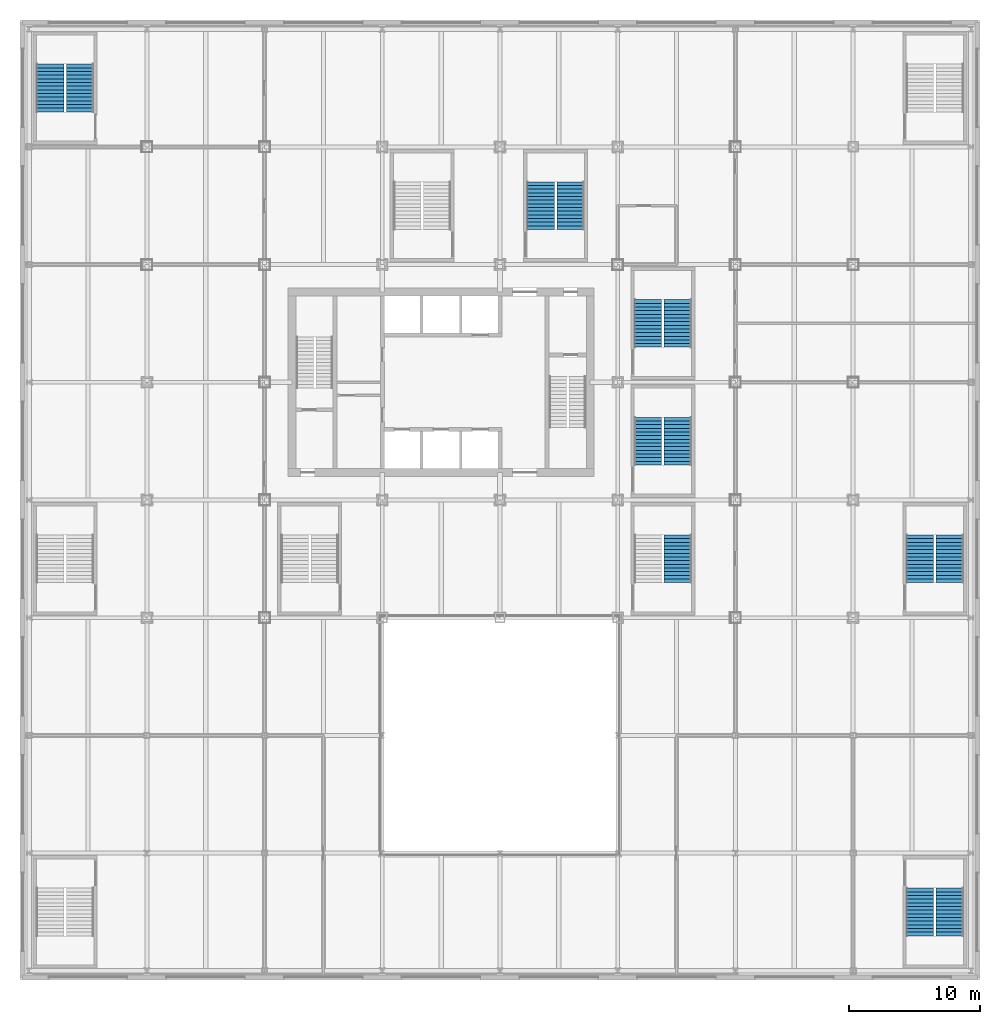
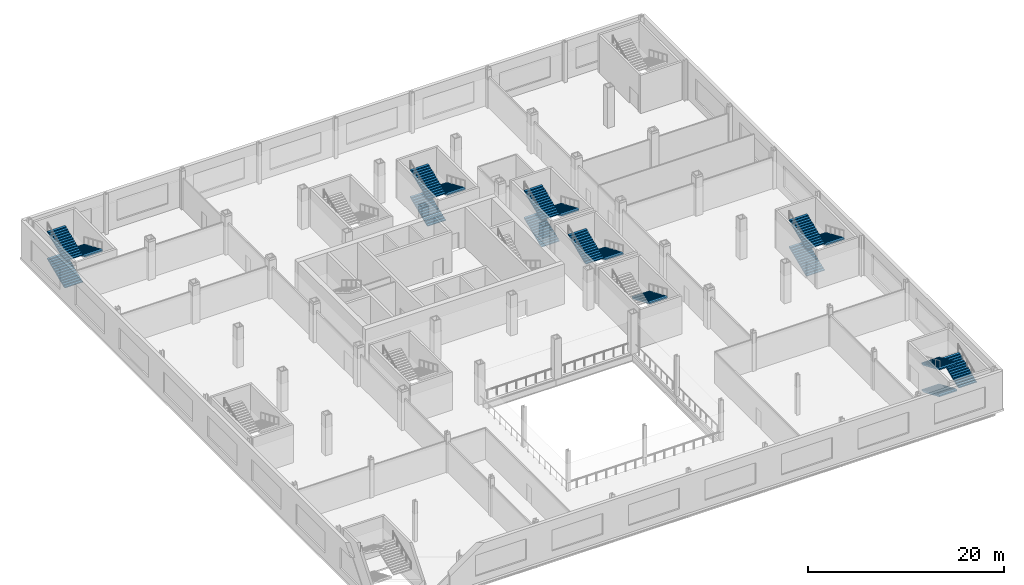
# One storey, part 17 of 31: 18 stair flights, 7 elements without a shape of their own.
"""IFC4 building model written with IfcOpenShell, lengths in metres."""

from ifc_helpers import new_model, si_unit, direction, frame, origin, place, context, subcontext, project, spatial, polyline, outline, extrude, material, type_object, element, aggregate, save


model = new_model("IFC4")

# Units and contexts
model_context = context("Model", 3, precision=1e-05, world=origin(), true_north=direction((0.0, 1.0)))
body_context = subcontext(model_context, "Body", "Model", "MODEL_VIEW")
ifc_project = project(units=[si_unit("LENGTHUNIT", "METRE"), si_unit("AREAUNIT", "SQUARE_METRE"), si_unit("VOLUMEUNIT", "CUBIC_METRE"), si_unit("PLANEANGLEUNIT", "RADIAN"), si_unit("MASSUNIT", "GRAM", prefix="KILO")], contexts=[model_context])

# Site, building, storey
site_placement = place(None, origin())
site = spatial("IfcSite", under=ifc_project, at=site_placement, CompositionType="ELEMENT")
building_placement = place(site_placement, origin())
building = spatial("IfcBuilding", under=site, at=building_placement, Name="Loomwork Tower", CompositionType="ELEMENT")
storey_placement = place(building_placement, frame((0.0, 0.0, 11.0)))
storey = spatial("IfcBuildingStorey", under=building, at=storey_placement, Name="L02", CompositionType="ELEMENT", Elevation=11.0)

# Stair, stair flights
ifc_material_1 = material(Name="Concrete 5000 psi (34 MPa) precast stair", Category="concrete")
stair_type_1 = type_object("IfcStairType", Name="Stair ST-S11P 42 risers of 119 4400 wide", PredefinedType="HALF_TURN_STAIR", material=ifc_material_1)
stair_1_placement = place(storey_placement, origin())
stair_1 = element("IfcStair", 1, at=stair_1_placement, inside=storey, type_object=stair_type_1, Name="Podium stair PS11 L02", PredefinedType="HALF_TURN_STAIR")
ifc_material_2 = material(Name="Concrete 5000 psi (34 MPa) precast stair", Category="concrete")
stair_flight_type_1 = type_object("IfcStairFlightType", Name="Stair flight ST-S11P 14 risers of 119 2100 wide", PredefinedType="STRAIGHT", material=ifc_material_2)
stair_flight_1_placement = place(storey_placement, frame((30.10009765625, 29.679931640625, 0.0), z_axis=(0.0, 0.0, 1.0), x_axis=(0.0, 1.0, 0.0)))
stair_flight_1 = element("IfcStairFlight", 2, at=stair_flight_1_placement, type_object=stair_flight_type_1, Name="ST-S11P flight 1", NumberOfRisers=14, NumberOfTreads=13, PredefinedType="STRAIGHT", RiserHeight=0.119047619, TreadLength=0.28, context=body_context, shape_type="SweptSolid", body=[
    extrude(outline(polyline([(0.0, 0.0), (0.0, 0.119140625), (0.280029296875, 0.119140625), (0.280029296875, 0.238037109375), (0.56005859375, 0.238037109375), (0.56005859375, 0.357177734375), (0.840087890625, 0.357177734375), (0.840087890625, 0.47607421875), (1.1201171875, 0.47607421875), (1.1201171875, 0.59521484375), (1.39990234375, 0.59521484375), (1.39990234375, 0.71435546875), (1.679931640625, 0.71435546875), (1.679931640625, 0.833251953125), (1.9599609375, 0.833251953125), (1.9599609375, 0.952392578125), (2.239990234375, 0.952392578125), (2.239990234375, 1.071533203125), (2.52001953125, 1.071533203125), (2.52001953125, 1.1904296875), (2.800048828125, 1.1904296875), (2.800048828125, 1.3095703125), (3.080078125, 1.3095703125), (3.080078125, 1.428466796875), (3.360107421875, 1.428466796875), (3.360107421875, 1.547607421875), (3.639892578125, 1.547607421875), (3.639892578125, 1.666748046875), (3.639892578125, 1.384765625), (0.383056640625, 0.0), (0.0, 0.0)])), frame((0.0, 1.050048828125, 0.0), z_axis=(0.0, -1.0, 0.0), x_axis=(1.0, 0.0, 0.0)), (0.0, 0.0, 1.0), 2.10009765625),
])
stair_flight_2_placement = place(storey_placement, frame((32.39990234375, 33.320068359375, 1.666748046875), z_axis=(0.0, 0.0, 1.0), x_axis=(0.0, -1.0, 0.0)))
stair_flight_2 = element("IfcStairFlight", 3, at=stair_flight_2_placement, type_object=stair_flight_type_1, Name="ST-S11P flight 2", NumberOfRisers=14, NumberOfTreads=13, PredefinedType="STRAIGHT", RiserHeight=0.119047619, TreadLength=0.28, context=body_context, shape_type="SweptSolid", body=[
    extrude(outline(polyline([(0.0, 0.0), (0.0, 0.119140625), (0.280029296875, 0.119140625), (0.280029296875, 0.238037109375), (0.56005859375, 0.238037109375), (0.56005859375, 0.357177734375), (0.840087890625, 0.357177734375), (0.840087890625, 0.47607421875), (1.1201171875, 0.47607421875), (1.1201171875, 0.59521484375), (1.39990234375, 0.59521484375), (1.39990234375, 0.71435546875), (1.679931640625, 0.71435546875), (1.679931640625, 0.833251953125), (1.9599609375, 0.833251953125), (1.9599609375, 0.952392578125), (2.239990234375, 0.952392578125), (2.239990234375, 1.071533203125), (2.52001953125, 1.071533203125), (2.52001953125, 1.1904296875), (2.800048828125, 1.1904296875), (2.800048828125, 1.3095703125), (3.080078125, 1.3095703125), (3.080078125, 1.428466796875), (3.360107421875, 1.428466796875), (3.360107421875, 1.547607421875), (3.639892578125, 1.547607421875), (3.639892578125, 1.666748046875), (3.639892578125, 1.384765625), (0.383056640625, 0.0), (0.0, 0.0)])), frame((0.0, 1.050048828125, 0.0), z_axis=(0.0, -1.0, 0.0), x_axis=(1.0, 0.0, 0.0)), (0.0, 0.0, 1.0), 2.10009765625),
])
stair_flight_3_placement = place(storey_placement, frame((30.10009765625, 29.679931640625, 3.333251953125), z_axis=(0.0, 0.0, 1.0), x_axis=(0.0, 1.0, 0.0)))
stair_flight_3 = element("IfcStairFlight", 4, at=stair_flight_3_placement, type_object=stair_flight_type_1, Name="ST-S11P flight 3", NumberOfRisers=14, NumberOfTreads=13, PredefinedType="STRAIGHT", RiserHeight=0.119047619, TreadLength=0.28, context=body_context, shape_type="SweptSolid", body=[
    extrude(outline(polyline([(0.0, 0.0), (0.0, 0.119140625), (0.280029296875, 0.119140625), (0.280029296875, 0.238037109375), (0.56005859375, 0.238037109375), (0.56005859375, 0.357177734375), (0.840087890625, 0.357177734375), (0.840087890625, 0.47607421875), (1.1201171875, 0.47607421875), (1.1201171875, 0.59521484375), (1.39990234375, 0.59521484375), (1.39990234375, 0.71435546875), (1.679931640625, 0.71435546875), (1.679931640625, 0.833251953125), (1.9599609375, 0.833251953125), (1.9599609375, 0.952392578125), (2.239990234375, 0.952392578125), (2.239990234375, 1.071533203125), (2.52001953125, 1.071533203125), (2.52001953125, 1.1904296875), (2.800048828125, 1.1904296875), (2.800048828125, 1.3095703125), (3.080078125, 1.3095703125), (3.080078125, 1.428466796875), (3.360107421875, 1.428466796875), (3.360107421875, 1.547607421875), (3.639892578125, 1.547607421875), (3.639892578125, 1.666748046875), (3.639892578125, 1.384765625), (0.383056640625, 0.0), (0.0, 0.0)])), frame((0.0, 1.050048828125, 0.0), z_axis=(0.0, -1.0, 0.0), x_axis=(1.0, 0.0, 0.0)), (0.0, 0.0, 1.0), 2.10009765625),
])
aggregate(stair_1, [stair_flight_1, stair_flight_2, stair_flight_3])

ifc_material_3 = material(Name="Concrete 5000 psi (34 MPa) precast stair", Category="concrete")
stair_type_2 = type_object("IfcStairType", Name="Stair ST-S2P 42 risers of 119 4400 wide", PredefinedType="HALF_TURN_STAIR", material=ifc_material_3)
stair_2_placement = place(storey_placement, origin())
stair_2 = element("IfcStair", 5, at=stair_2_placement, inside=storey, type_object=stair_type_2, Name="Podium stair PS2 L02", PredefinedType="HALF_TURN_STAIR")
ifc_material_4 = material(Name="Concrete 5000 psi (34 MPa) precast stair", Category="concrete")
stair_flight_type_2 = type_object("IfcStairFlightType", Name="Stair flight ST-S2P 14 risers of 119 2100 wide", PredefinedType="STRAIGHT", material=ifc_material_4)
stair_flight_4_placement = place(storey_placement, frame((59.10009765625, -20.679931640625, 0.0), z_axis=(0.0, 0.0, 1.0), x_axis=(0.0, -1.0, 0.0)))
stair_flight_4 = element("IfcStairFlight", 6, at=stair_flight_4_placement, type_object=stair_flight_type_2, Name="ST-S2P flight 1", NumberOfRisers=14, NumberOfTreads=13, PredefinedType="STRAIGHT", RiserHeight=0.119047619, TreadLength=0.28, context=body_context, shape_type="SweptSolid", body=[
    extrude(outline(polyline([(0.0, 0.0), (0.0, 0.119140625), (0.280029296875, 0.119140625), (0.280029296875, 0.238037109375), (0.56005859375, 0.238037109375), (0.56005859375, 0.357177734375), (0.840087890625, 0.357177734375), (0.840087890625, 0.47607421875), (1.1201171875, 0.47607421875), (1.1201171875, 0.59521484375), (1.39990234375, 0.59521484375), (1.39990234375, 0.71435546875), (1.679931640625, 0.71435546875), (1.679931640625, 0.833251953125), (1.9599609375, 0.833251953125), (1.9599609375, 0.952392578125), (2.239990234375, 0.952392578125), (2.239990234375, 1.071533203125), (2.52001953125, 1.071533203125), (2.52001953125, 1.1904296875), (2.800048828125, 1.1904296875), (2.800048828125, 1.3095703125), (3.080078125, 1.3095703125), (3.080078125, 1.428466796875), (3.360107421875, 1.428466796875), (3.360107421875, 1.547607421875), (3.639892578125, 1.547607421875), (3.639892578125, 1.666748046875), (3.639892578125, 1.384765625), (0.383056640625, 0.0), (0.0, 0.0)])), frame((0.0, 1.050048828125, 0.0), z_axis=(0.0, -1.0, 0.0), x_axis=(1.0, 0.0, 0.0)), (0.0, 0.0, 1.0), 2.10009765625),
])
stair_flight_5_placement = place(storey_placement, frame((61.39990234375, -24.320068359375, 1.666748046875), z_axis=(0.0, 0.0, 1.0), x_axis=(0.0, 1.0, 0.0)))
stair_flight_5 = element("IfcStairFlight", 7, at=stair_flight_5_placement, type_object=stair_flight_type_2, Name="ST-S2P flight 2", NumberOfRisers=14, NumberOfTreads=13, PredefinedType="STRAIGHT", RiserHeight=0.119047619, TreadLength=0.28, context=body_context, shape_type="SweptSolid", body=[
    extrude(outline(polyline([(0.0, 0.0), (0.0, 0.119140625), (0.280029296875, 0.119140625), (0.280029296875, 0.238037109375), (0.56005859375, 0.238037109375), (0.56005859375, 0.357177734375), (0.840087890625, 0.357177734375), (0.840087890625, 0.47607421875), (1.1201171875, 0.47607421875), (1.1201171875, 0.59521484375), (1.39990234375, 0.59521484375), (1.39990234375, 0.71435546875), (1.679931640625, 0.71435546875), (1.679931640625, 0.833251953125), (1.9599609375, 0.833251953125), (1.9599609375, 0.952392578125), (2.239990234375, 0.952392578125), (2.239990234375, 1.071533203125), (2.52001953125, 1.071533203125), (2.52001953125, 1.1904296875), (2.800048828125, 1.1904296875), (2.800048828125, 1.3095703125), (3.080078125, 1.3095703125), (3.080078125, 1.428466796875), (3.360107421875, 1.428466796875), (3.360107421875, 1.547607421875), (3.639892578125, 1.547607421875), (3.639892578125, 1.666748046875), (3.639892578125, 1.384765625), (0.383056640625, 0.0), (0.0, 0.0)])), frame((0.0, 1.050048828125, 0.0), z_axis=(0.0, -1.0, 0.0), x_axis=(1.0, 0.0, 0.0)), (0.0, 0.0, 1.0), 2.10009765625),
])
stair_flight_6_placement = place(storey_placement, frame((59.10009765625, -20.679931640625, 3.333251953125), z_axis=(0.0, 0.0, 1.0), x_axis=(0.0, -1.0, 0.0)))
stair_flight_6 = element("IfcStairFlight", 8, at=stair_flight_6_placement, type_object=stair_flight_type_2, Name="ST-S2P flight 3", NumberOfRisers=14, NumberOfTreads=13, PredefinedType="STRAIGHT", RiserHeight=0.119047619, TreadLength=0.28, context=body_context, shape_type="SweptSolid", body=[
    extrude(outline(polyline([(0.0, 0.0), (0.0, 0.119140625), (0.280029296875, 0.119140625), (0.280029296875, 0.238037109375), (0.56005859375, 0.238037109375), (0.56005859375, 0.357177734375), (0.840087890625, 0.357177734375), (0.840087890625, 0.47607421875), (1.1201171875, 0.47607421875), (1.1201171875, 0.59521484375), (1.39990234375, 0.59521484375), (1.39990234375, 0.71435546875), (1.679931640625, 0.71435546875), (1.679931640625, 0.833251953125), (1.9599609375, 0.833251953125), (1.9599609375, 0.952392578125), (2.239990234375, 0.952392578125), (2.239990234375, 1.071533203125), (2.52001953125, 1.071533203125), (2.52001953125, 1.1904296875), (2.800048828125, 1.1904296875), (2.800048828125, 1.3095703125), (3.080078125, 1.3095703125), (3.080078125, 1.428466796875), (3.360107421875, 1.428466796875), (3.360107421875, 1.547607421875), (3.639892578125, 1.547607421875), (3.639892578125, 1.666748046875), (3.639892578125, 1.384765625), (0.383056640625, 0.0), (0.0, 0.0)])), frame((0.0, 1.050048828125, 0.0), z_axis=(0.0, -1.0, 0.0), x_axis=(1.0, 0.0, 0.0)), (0.0, 0.0, 1.0), 2.10009765625),
])
aggregate(stair_2, [stair_flight_4, stair_flight_5, stair_flight_6])

ifc_material_5 = material(Name="Concrete 5000 psi (34 MPa) precast stair", Category="concrete")
stair_type_3 = type_object("IfcStairType", Name="Stair ST-S3P 42 risers of 119 4400 wide", PredefinedType="HALF_TURN_STAIR", material=ifc_material_5)
stair_3_placement = place(storey_placement, origin())
stair_3 = element("IfcStair", 9, at=stair_3_placement, inside=storey, type_object=stair_type_3, Name="Podium stair PS3 L02", PredefinedType="HALF_TURN_STAIR")
ifc_material_6 = material(Name="Concrete 5000 psi (34 MPa) precast stair", Category="concrete")
stair_flight_type_3 = type_object("IfcStairFlightType", Name="Stair flight ST-S3P 14 risers of 119 2100 wide", PredefinedType="STRAIGHT", material=ifc_material_6)
stair_flight_7_placement = place(storey_placement, frame((-7.39990234375, 38.679931640625, 0.0), z_axis=(0.0, 0.0, 1.0), x_axis=(0.0, 1.0, 0.0)))
stair_flight_7 = element("IfcStairFlight", 10, at=stair_flight_7_placement, type_object=stair_flight_type_3, Name="ST-S3P flight 1", NumberOfRisers=14, NumberOfTreads=13, PredefinedType="STRAIGHT", RiserHeight=0.119047619, TreadLength=0.28, context=body_context, shape_type="SweptSolid", body=[
    extrude(outline(polyline([(0.0, 0.0), (0.0, 0.119140625), (0.280029296875, 0.119140625), (0.280029296875, 0.238037109375), (0.56005859375, 0.238037109375), (0.56005859375, 0.357177734375), (0.840087890625, 0.357177734375), (0.840087890625, 0.47607421875), (1.1201171875, 0.47607421875), (1.1201171875, 0.59521484375), (1.39990234375, 0.59521484375), (1.39990234375, 0.71435546875), (1.679931640625, 0.71435546875), (1.679931640625, 0.833251953125), (1.9599609375, 0.833251953125), (1.9599609375, 0.952392578125), (2.239990234375, 0.952392578125), (2.239990234375, 1.071533203125), (2.52001953125, 1.071533203125), (2.52001953125, 1.1904296875), (2.800048828125, 1.1904296875), (2.800048828125, 1.3095703125), (3.080078125, 1.3095703125), (3.080078125, 1.428466796875), (3.360107421875, 1.428466796875), (3.360107421875, 1.547607421875), (3.639892578125, 1.547607421875), (3.639892578125, 1.666748046875), (3.639892578125, 1.384765625), (0.383056640625, 0.0), (0.0, 0.0)])), frame((0.0, 1.050048828125, 0.0), z_axis=(0.0, -1.0, 0.0), x_axis=(1.0, 0.0, 0.0)), (0.0, 0.0, 1.0), 2.10009765625),
])
stair_flight_8_placement = place(storey_placement, frame((-5.10009765625, 42.320068359375, 1.666748046875), z_axis=(0.0, 0.0, 1.0), x_axis=(0.0, -1.0, 0.0)))
stair_flight_8 = element("IfcStairFlight", 11, at=stair_flight_8_placement, type_object=stair_flight_type_3, Name="ST-S3P flight 2", NumberOfRisers=14, NumberOfTreads=13, PredefinedType="STRAIGHT", RiserHeight=0.119047619, TreadLength=0.28, context=body_context, shape_type="SweptSolid", body=[
    extrude(outline(polyline([(0.0, 0.0), (0.0, 0.119140625), (0.280029296875, 0.119140625), (0.280029296875, 0.238037109375), (0.56005859375, 0.238037109375), (0.56005859375, 0.357177734375), (0.840087890625, 0.357177734375), (0.840087890625, 0.47607421875), (1.1201171875, 0.47607421875), (1.1201171875, 0.59521484375), (1.39990234375, 0.59521484375), (1.39990234375, 0.71435546875), (1.679931640625, 0.71435546875), (1.679931640625, 0.833251953125), (1.9599609375, 0.833251953125), (1.9599609375, 0.952392578125), (2.239990234375, 0.952392578125), (2.239990234375, 1.071533203125), (2.52001953125, 1.071533203125), (2.52001953125, 1.1904296875), (2.800048828125, 1.1904296875), (2.800048828125, 1.3095703125), (3.080078125, 1.3095703125), (3.080078125, 1.428466796875), (3.360107421875, 1.428466796875), (3.360107421875, 1.547607421875), (3.639892578125, 1.547607421875), (3.639892578125, 1.666748046875), (3.639892578125, 1.384765625), (0.383056640625, 0.0), (0.0, 0.0)])), frame((0.0, 1.050048828125, 0.0), z_axis=(0.0, -1.0, 0.0), x_axis=(1.0, 0.0, 0.0)), (0.0, 0.0, 1.0), 2.10009765625),
])
stair_flight_9_placement = place(storey_placement, frame((-7.39990234375, 38.679931640625, 3.333251953125), z_axis=(0.0, 0.0, 1.0), x_axis=(0.0, 1.0, 0.0)))
stair_flight_9 = element("IfcStairFlight", 12, at=stair_flight_9_placement, type_object=stair_flight_type_3, Name="ST-S3P flight 3", NumberOfRisers=14, NumberOfTreads=13, PredefinedType="STRAIGHT", RiserHeight=0.119047619, TreadLength=0.28, context=body_context, shape_type="SweptSolid", body=[
    extrude(outline(polyline([(0.0, 0.0), (0.0, 0.119140625), (0.280029296875, 0.119140625), (0.280029296875, 0.238037109375), (0.56005859375, 0.238037109375), (0.56005859375, 0.357177734375), (0.840087890625, 0.357177734375), (0.840087890625, 0.47607421875), (1.1201171875, 0.47607421875), (1.1201171875, 0.59521484375), (1.39990234375, 0.59521484375), (1.39990234375, 0.71435546875), (1.679931640625, 0.71435546875), (1.679931640625, 0.833251953125), (1.9599609375, 0.833251953125), (1.9599609375, 0.952392578125), (2.239990234375, 0.952392578125), (2.239990234375, 1.071533203125), (2.52001953125, 1.071533203125), (2.52001953125, 1.1904296875), (2.800048828125, 1.1904296875), (2.800048828125, 1.3095703125), (3.080078125, 1.3095703125), (3.080078125, 1.428466796875), (3.360107421875, 1.428466796875), (3.360107421875, 1.547607421875), (3.639892578125, 1.547607421875), (3.639892578125, 1.666748046875), (3.639892578125, 1.384765625), (0.383056640625, 0.0), (0.0, 0.0)])), frame((0.0, 1.050048828125, 0.0), z_axis=(0.0, -1.0, 0.0), x_axis=(1.0, 0.0, 0.0)), (0.0, 0.0, 1.0), 2.10009765625),
])
aggregate(stair_3, [stair_flight_7, stair_flight_8, stair_flight_9])

ifc_material_7 = material(Name="Concrete 5000 psi (34 MPa) precast stair", Category="concrete")
stair_type_4 = type_object("IfcStairType", Name="Stair ST-S6P 42 risers of 119 4400 wide", PredefinedType="HALF_TURN_STAIR", material=ifc_material_7)
stair_4_placement = place(storey_placement, origin())
stair_4 = element("IfcStair", 13, at=stair_4_placement, inside=storey, type_object=stair_type_4, Name="Podium stair PS6 L02", PredefinedType="HALF_TURN_STAIR")
ifc_material_8 = material(Name="Concrete 5000 psi (34 MPa) precast stair", Category="concrete")
stair_flight_type_4 = type_object("IfcStairFlightType", Name="Stair flight ST-S6P 14 risers of 119 2100 wide", PredefinedType="STRAIGHT", material=ifc_material_8)
stair_flight_10_placement = place(storey_placement, frame((59.10009765625, 2.679931640625, 0.0), z_axis=(0.0, 0.0, 1.0), x_axis=(0.0, 1.0, 0.0)))
stair_flight_10 = element("IfcStairFlight", 14, at=stair_flight_10_placement, type_object=stair_flight_type_4, Name="ST-S6P flight 1", NumberOfRisers=14, NumberOfTreads=13, PredefinedType="STRAIGHT", RiserHeight=0.119047619, TreadLength=0.28, context=body_context, shape_type="SweptSolid", body=[
    extrude(outline(polyline([(0.0, 0.0), (0.0, 0.119140625), (0.280029296875, 0.119140625), (0.280029296875, 0.238037109375), (0.56005859375, 0.238037109375), (0.56005859375, 0.357177734375), (0.840087890625, 0.357177734375), (0.840087890625, 0.47607421875), (1.1201171875, 0.47607421875), (1.1201171875, 0.59521484375), (1.39990234375, 0.59521484375), (1.39990234375, 0.71435546875), (1.679931640625, 0.71435546875), (1.679931640625, 0.833251953125), (1.9599609375, 0.833251953125), (1.9599609375, 0.952392578125), (2.239990234375, 0.952392578125), (2.239990234375, 1.071533203125), (2.52001953125, 1.071533203125), (2.52001953125, 1.1904296875), (2.800048828125, 1.1904296875), (2.800048828125, 1.3095703125), (3.080078125, 1.3095703125), (3.080078125, 1.428466796875), (3.360107421875, 1.428466796875), (3.360107421875, 1.547607421875), (3.639892578125, 1.547607421875), (3.639892578125, 1.666748046875), (3.639892578125, 1.384765625), (0.383056640625, 0.0), (0.0, 0.0)])), frame((0.0, 1.050048828125, 0.0), z_axis=(0.0, -1.0, 0.0), x_axis=(1.0, 0.0, 0.0)), (0.0, 0.0, 1.0), 2.10009765625),
])
stair_flight_11_placement = place(storey_placement, frame((61.39990234375, 6.320068359375, 1.666748046875), z_axis=(0.0, 0.0, 1.0), x_axis=(0.0, -1.0, 0.0)))
stair_flight_11 = element("IfcStairFlight", 15, at=stair_flight_11_placement, type_object=stair_flight_type_4, Name="ST-S6P flight 2", NumberOfRisers=14, NumberOfTreads=13, PredefinedType="STRAIGHT", RiserHeight=0.119047619, TreadLength=0.28, context=body_context, shape_type="SweptSolid", body=[
    extrude(outline(polyline([(0.0, 0.0), (0.0, 0.119140625), (0.280029296875, 0.119140625), (0.280029296875, 0.238037109375), (0.56005859375, 0.238037109375), (0.56005859375, 0.357177734375), (0.840087890625, 0.357177734375), (0.840087890625, 0.47607421875), (1.1201171875, 0.47607421875), (1.1201171875, 0.59521484375), (1.39990234375, 0.59521484375), (1.39990234375, 0.71435546875), (1.679931640625, 0.71435546875), (1.679931640625, 0.833251953125), (1.9599609375, 0.833251953125), (1.9599609375, 0.952392578125), (2.239990234375, 0.952392578125), (2.239990234375, 1.071533203125), (2.52001953125, 1.071533203125), (2.52001953125, 1.1904296875), (2.800048828125, 1.1904296875), (2.800048828125, 1.3095703125), (3.080078125, 1.3095703125), (3.080078125, 1.428466796875), (3.360107421875, 1.428466796875), (3.360107421875, 1.547607421875), (3.639892578125, 1.547607421875), (3.639892578125, 1.666748046875), (3.639892578125, 1.384765625), (0.383056640625, 0.0), (0.0, 0.0)])), frame((0.0, 1.050048828125, 0.0), z_axis=(0.0, -1.0, 0.0), x_axis=(1.0, 0.0, 0.0)), (0.0, 0.0, 1.0), 2.10009765625),
])
stair_flight_12_placement = place(storey_placement, frame((59.10009765625, 2.679931640625, 3.333251953125), z_axis=(0.0, 0.0, 1.0), x_axis=(0.0, 1.0, 0.0)))
stair_flight_12 = element("IfcStairFlight", 16, at=stair_flight_12_placement, type_object=stair_flight_type_4, Name="ST-S6P flight 3", NumberOfRisers=14, NumberOfTreads=13, PredefinedType="STRAIGHT", RiserHeight=0.119047619, TreadLength=0.28, context=body_context, shape_type="SweptSolid", body=[
    extrude(outline(polyline([(0.0, 0.0), (0.0, 0.119140625), (0.280029296875, 0.119140625), (0.280029296875, 0.238037109375), (0.56005859375, 0.238037109375), (0.56005859375, 0.357177734375), (0.840087890625, 0.357177734375), (0.840087890625, 0.47607421875), (1.1201171875, 0.47607421875), (1.1201171875, 0.59521484375), (1.39990234375, 0.59521484375), (1.39990234375, 0.71435546875), (1.679931640625, 0.71435546875), (1.679931640625, 0.833251953125), (1.9599609375, 0.833251953125), (1.9599609375, 0.952392578125), (2.239990234375, 0.952392578125), (2.239990234375, 1.071533203125), (2.52001953125, 1.071533203125), (2.52001953125, 1.1904296875), (2.800048828125, 1.1904296875), (2.800048828125, 1.3095703125), (3.080078125, 1.3095703125), (3.080078125, 1.428466796875), (3.360107421875, 1.428466796875), (3.360107421875, 1.547607421875), (3.639892578125, 1.547607421875), (3.639892578125, 1.666748046875), (3.639892578125, 1.384765625), (0.383056640625, 0.0), (0.0, 0.0)])), frame((0.0, 1.050048828125, 0.0), z_axis=(0.0, -1.0, 0.0), x_axis=(1.0, 0.0, 0.0)), (0.0, 0.0, 1.0), 2.10009765625),
])
aggregate(stair_4, [stair_flight_10, stair_flight_11, stair_flight_12])

# Stair, stair flight
ifc_material_9 = material(Name="Concrete 5000 psi (34 MPa) precast stair", Category="concrete")
stair_type_5 = type_object("IfcStairType", Name="Stair ST-S7P 42 risers of 119 4400 wide", PredefinedType="HALF_TURN_STAIR", material=ifc_material_9)
stair_5_placement = place(storey_placement, origin())
stair_5 = element("IfcStair", 17, at=stair_5_placement, inside=storey, type_object=stair_type_5, Name="Podium stair PS7 L02", PredefinedType="HALF_TURN_STAIR")
ifc_material_10 = material(Name="Concrete 5000 psi (34 MPa) precast stair", Category="concrete")
stair_flight_type_5 = type_object("IfcStairFlightType", Name="Stair flight ST-S7P 14 risers of 119 2100 wide", PredefinedType="STRAIGHT", material=ifc_material_10)
stair_flight_13_placement = place(storey_placement, frame((40.60009765625, 6.320068359375, 1.666748046875), z_axis=(0.0, 0.0, 1.0), x_axis=(0.0, -1.0, 0.0)))
stair_flight_13 = element("IfcStairFlight", 18, at=stair_flight_13_placement, type_object=stair_flight_type_5, Name="ST-S7P flight 2", NumberOfRisers=14, NumberOfTreads=13, PredefinedType="STRAIGHT", RiserHeight=0.119047619, TreadLength=0.28, context=body_context, shape_type="SweptSolid", body=[
    extrude(outline(polyline([(0.0, 0.0), (0.0, 0.119140625), (0.280029296875, 0.119140625), (0.280029296875, 0.238037109375), (0.56005859375, 0.238037109375), (0.56005859375, 0.357177734375), (0.840087890625, 0.357177734375), (0.840087890625, 0.47607421875), (1.1201171875, 0.47607421875), (1.1201171875, 0.59521484375), (1.39990234375, 0.59521484375), (1.39990234375, 0.71435546875), (1.679931640625, 0.71435546875), (1.679931640625, 0.833251953125), (1.9599609375, 0.833251953125), (1.9599609375, 0.952392578125), (2.239990234375, 0.952392578125), (2.239990234375, 1.071533203125), (2.52001953125, 1.071533203125), (2.52001953125, 1.1904296875), (2.800048828125, 1.1904296875), (2.800048828125, 1.3095703125), (3.080078125, 1.3095703125), (3.080078125, 1.428466796875), (3.360107421875, 1.428466796875), (3.360107421875, 1.547607421875), (3.639892578125, 1.547607421875), (3.639892578125, 1.666748046875), (3.639892578125, 1.384765625), (0.383056640625, 0.0), (0.0, 0.0)])), frame((0.0, 1.050048828125, 0.0), z_axis=(0.0, -1.0, 0.0), x_axis=(1.0, 0.0, 0.0)), (0.0, 0.0, 1.0), 2.10009765625),
])
aggregate(stair_5, [stair_flight_13])

# Stair, stair flights
ifc_material_11 = material(Name="Concrete 5000 psi (34 MPa) precast stair", Category="concrete")
stair_type_6 = type_object("IfcStairType", Name="Stair ST-S8P 42 risers of 119 4400 wide", PredefinedType="HALF_TURN_STAIR", material=ifc_material_11)
stair_6_placement = place(storey_placement, origin())
stair_6 = element("IfcStair", 19, at=stair_6_placement, inside=storey, type_object=stair_type_6, Name="Podium stair PS8 L02", PredefinedType="HALF_TURN_STAIR")
ifc_material_12 = material(Name="Concrete 5000 psi (34 MPa) precast stair", Category="concrete")
stair_flight_type_6 = type_object("IfcStairFlightType", Name="Stair flight ST-S8P 14 risers of 119 2100 wide", PredefinedType="STRAIGHT", material=ifc_material_12)
stair_flight_14_placement = place(storey_placement, frame((40.60009765625, 15.320068359375, 1.666748046875), z_axis=(0.0, 0.0, 1.0), x_axis=(0.0, -1.0, 0.0)))
stair_flight_14 = element("IfcStairFlight", 20, at=stair_flight_14_placement, type_object=stair_flight_type_6, Name="ST-S8P flight 2", NumberOfRisers=14, NumberOfTreads=13, PredefinedType="STRAIGHT", RiserHeight=0.119047619, TreadLength=0.28, context=body_context, shape_type="SweptSolid", body=[
    extrude(outline(polyline([(0.0, 0.0), (0.0, 0.119140625), (0.280029296875, 0.119140625), (0.280029296875, 0.238037109375), (0.56005859375, 0.238037109375), (0.56005859375, 0.357177734375), (0.840087890625, 0.357177734375), (0.840087890625, 0.47607421875), (1.1201171875, 0.47607421875), (1.1201171875, 0.59521484375), (1.39990234375, 0.59521484375), (1.39990234375, 0.71435546875), (1.679931640625, 0.71435546875), (1.679931640625, 0.833251953125), (1.9599609375, 0.833251953125), (1.9599609375, 0.952392578125), (2.239990234375, 0.952392578125), (2.239990234375, 1.071533203125), (2.52001953125, 1.071533203125), (2.52001953125, 1.1904296875), (2.800048828125, 1.1904296875), (2.800048828125, 1.3095703125), (3.080078125, 1.3095703125), (3.080078125, 1.428466796875), (3.360107421875, 1.428466796875), (3.360107421875, 1.547607421875), (3.639892578125, 1.547607421875), (3.639892578125, 1.666748046875), (3.639892578125, 1.384765625), (0.383056640625, 0.0), (0.0, 0.0)])), frame((0.0, 1.050048828125, 0.0), z_axis=(0.0, -1.0, 0.0), x_axis=(1.0, 0.0, 0.0)), (0.0, 0.0, 1.0), 2.10009765625),
])
stair_flight_15_placement = place(storey_placement, frame((38.300048828125, 11.679931640625, 3.333251953125), z_axis=(0.0, 0.0, 1.0), x_axis=(0.0, 1.0, 0.0)))
stair_flight_15 = element("IfcStairFlight", 21, at=stair_flight_15_placement, type_object=stair_flight_type_6, Name="ST-S8P flight 3", NumberOfRisers=14, NumberOfTreads=13, PredefinedType="STRAIGHT", RiserHeight=0.119047619, TreadLength=0.28, context=body_context, shape_type="SweptSolid", body=[
    extrude(outline(polyline([(0.0, 0.0), (0.0, 0.119140625), (0.280029296875, 0.119140625), (0.280029296875, 0.238037109375), (0.56005859375, 0.238037109375), (0.56005859375, 0.357177734375), (0.840087890625, 0.357177734375), (0.840087890625, 0.47607421875), (1.1201171875, 0.47607421875), (1.1201171875, 0.59521484375), (1.39990234375, 0.59521484375), (1.39990234375, 0.71435546875), (1.679931640625, 0.71435546875), (1.679931640625, 0.833251953125), (1.9599609375, 0.833251953125), (1.9599609375, 0.952392578125), (2.239990234375, 0.952392578125), (2.239990234375, 1.071533203125), (2.52001953125, 1.071533203125), (2.52001953125, 1.1904296875), (2.800048828125, 1.1904296875), (2.800048828125, 1.3095703125), (3.080078125, 1.3095703125), (3.080078125, 1.428466796875), (3.360107421875, 1.428466796875), (3.360107421875, 1.547607421875), (3.639892578125, 1.547607421875), (3.639892578125, 1.666748046875), (3.639892578125, 1.384765625), (0.383056640625, 0.0), (0.0, 0.0)])), frame((0.0, 1.050048828125, 0.0), z_axis=(0.0, -1.0, 0.0), x_axis=(1.0, 0.0, 0.0)), (0.0, 0.0, 1.0), 2.10009765625),
])
aggregate(stair_6, [stair_flight_14, stair_flight_15])

ifc_material_13 = material(Name="Concrete 5000 psi (34 MPa) precast stair", Category="concrete")
stair_type_7 = type_object("IfcStairType", Name="Stair ST-S9P 42 risers of 119 4400 wide", PredefinedType="HALF_TURN_STAIR", material=ifc_material_13)
stair_7_placement = place(storey_placement, origin())
stair_7 = element("IfcStair", 22, at=stair_7_placement, inside=storey, type_object=stair_type_7, Name="Podium stair PS9 L02", PredefinedType="HALF_TURN_STAIR")
ifc_material_14 = material(Name="Concrete 5000 psi (34 MPa) precast stair", Category="concrete")
stair_flight_type_7 = type_object("IfcStairFlightType", Name="Stair flight ST-S9P 14 risers of 119 2100 wide", PredefinedType="STRAIGHT", material=ifc_material_14)
stair_flight_16_placement = place(storey_placement, frame((38.300048828125, 20.679931640625, 0.0), z_axis=(0.0, 0.0, 1.0), x_axis=(0.0, 1.0, 0.0)))
stair_flight_16 = element("IfcStairFlight", 23, at=stair_flight_16_placement, type_object=stair_flight_type_7, Name="ST-S9P flight 1", NumberOfRisers=14, NumberOfTreads=13, PredefinedType="STRAIGHT", RiserHeight=0.119047619, TreadLength=0.28, context=body_context, shape_type="SweptSolid", body=[
    extrude(outline(polyline([(0.0, 0.0), (0.0, 0.119140625), (0.280029296875, 0.119140625), (0.280029296875, 0.238037109375), (0.56005859375, 0.238037109375), (0.56005859375, 0.357177734375), (0.840087890625, 0.357177734375), (0.840087890625, 0.47607421875), (1.1201171875, 0.47607421875), (1.1201171875, 0.59521484375), (1.39990234375, 0.59521484375), (1.39990234375, 0.71435546875), (1.679931640625, 0.71435546875), (1.679931640625, 0.833251953125), (1.9599609375, 0.833251953125), (1.9599609375, 0.952392578125), (2.239990234375, 0.952392578125), (2.239990234375, 1.071533203125), (2.52001953125, 1.071533203125), (2.52001953125, 1.1904296875), (2.800048828125, 1.1904296875), (2.800048828125, 1.3095703125), (3.080078125, 1.3095703125), (3.080078125, 1.428466796875), (3.360107421875, 1.428466796875), (3.360107421875, 1.547607421875), (3.639892578125, 1.547607421875), (3.639892578125, 1.666748046875), (3.639892578125, 1.384765625), (0.383056640625, 0.0), (0.0, 0.0)])), frame((0.0, 1.050048828125, 0.0), z_axis=(0.0, -1.0, 0.0), x_axis=(1.0, 0.0, 0.0)), (0.0, 0.0, 1.0), 2.10009765625),
])
stair_flight_17_placement = place(storey_placement, frame((40.60009765625, 24.320068359375, 1.666748046875), z_axis=(0.0, 0.0, 1.0), x_axis=(0.0, -1.0, 0.0)))
stair_flight_17 = element("IfcStairFlight", 24, at=stair_flight_17_placement, type_object=stair_flight_type_7, Name="ST-S9P flight 2", NumberOfRisers=14, NumberOfTreads=13, PredefinedType="STRAIGHT", RiserHeight=0.119047619, TreadLength=0.28, context=body_context, shape_type="SweptSolid", body=[
    extrude(outline(polyline([(0.0, 0.0), (0.0, 0.119140625), (0.280029296875, 0.119140625), (0.280029296875, 0.238037109375), (0.56005859375, 0.238037109375), (0.56005859375, 0.357177734375), (0.840087890625, 0.357177734375), (0.840087890625, 0.47607421875), (1.1201171875, 0.47607421875), (1.1201171875, 0.59521484375), (1.39990234375, 0.59521484375), (1.39990234375, 0.71435546875), (1.679931640625, 0.71435546875), (1.679931640625, 0.833251953125), (1.9599609375, 0.833251953125), (1.9599609375, 0.952392578125), (2.239990234375, 0.952392578125), (2.239990234375, 1.071533203125), (2.52001953125, 1.071533203125), (2.52001953125, 1.1904296875), (2.800048828125, 1.1904296875), (2.800048828125, 1.3095703125), (3.080078125, 1.3095703125), (3.080078125, 1.428466796875), (3.360107421875, 1.428466796875), (3.360107421875, 1.547607421875), (3.639892578125, 1.547607421875), (3.639892578125, 1.666748046875), (3.639892578125, 1.384765625), (0.383056640625, 0.0), (0.0, 0.0)])), frame((0.0, 1.050048828125, 0.0), z_axis=(0.0, -1.0, 0.0), x_axis=(1.0, 0.0, 0.0)), (0.0, 0.0, 1.0), 2.10009765625),
])
stair_flight_18_placement = place(storey_placement, frame((38.300048828125, 20.679931640625, 3.333251953125), z_axis=(0.0, 0.0, 1.0), x_axis=(0.0, 1.0, 0.0)))
stair_flight_18 = element("IfcStairFlight", 25, at=stair_flight_18_placement, type_object=stair_flight_type_7, Name="ST-S9P flight 3", NumberOfRisers=14, NumberOfTreads=13, PredefinedType="STRAIGHT", RiserHeight=0.119047619, TreadLength=0.28, context=body_context, shape_type="SweptSolid", body=[
    extrude(outline(polyline([(0.0, 0.0), (0.0, 0.119140625), (0.280029296875, 0.119140625), (0.280029296875, 0.238037109375), (0.56005859375, 0.238037109375), (0.56005859375, 0.357177734375), (0.840087890625, 0.357177734375), (0.840087890625, 0.47607421875), (1.1201171875, 0.47607421875), (1.1201171875, 0.59521484375), (1.39990234375, 0.59521484375), (1.39990234375, 0.71435546875), (1.679931640625, 0.71435546875), (1.679931640625, 0.833251953125), (1.9599609375, 0.833251953125), (1.9599609375, 0.952392578125), (2.239990234375, 0.952392578125), (2.239990234375, 1.071533203125), (2.52001953125, 1.071533203125), (2.52001953125, 1.1904296875), (2.800048828125, 1.1904296875), (2.800048828125, 1.3095703125), (3.080078125, 1.3095703125), (3.080078125, 1.428466796875), (3.360107421875, 1.428466796875), (3.360107421875, 1.547607421875), (3.639892578125, 1.547607421875), (3.639892578125, 1.666748046875), (3.639892578125, 1.384765625), (0.383056640625, 0.0), (0.0, 0.0)])), frame((0.0, 1.050048828125, 0.0), z_axis=(0.0, -1.0, 0.0), x_axis=(1.0, 0.0, 0.0)), (0.0, 0.0, 1.0), 2.10009765625),
])
aggregate(stair_7, [stair_flight_16, stair_flight_17, stair_flight_18])

save(model, "model.ifc")
